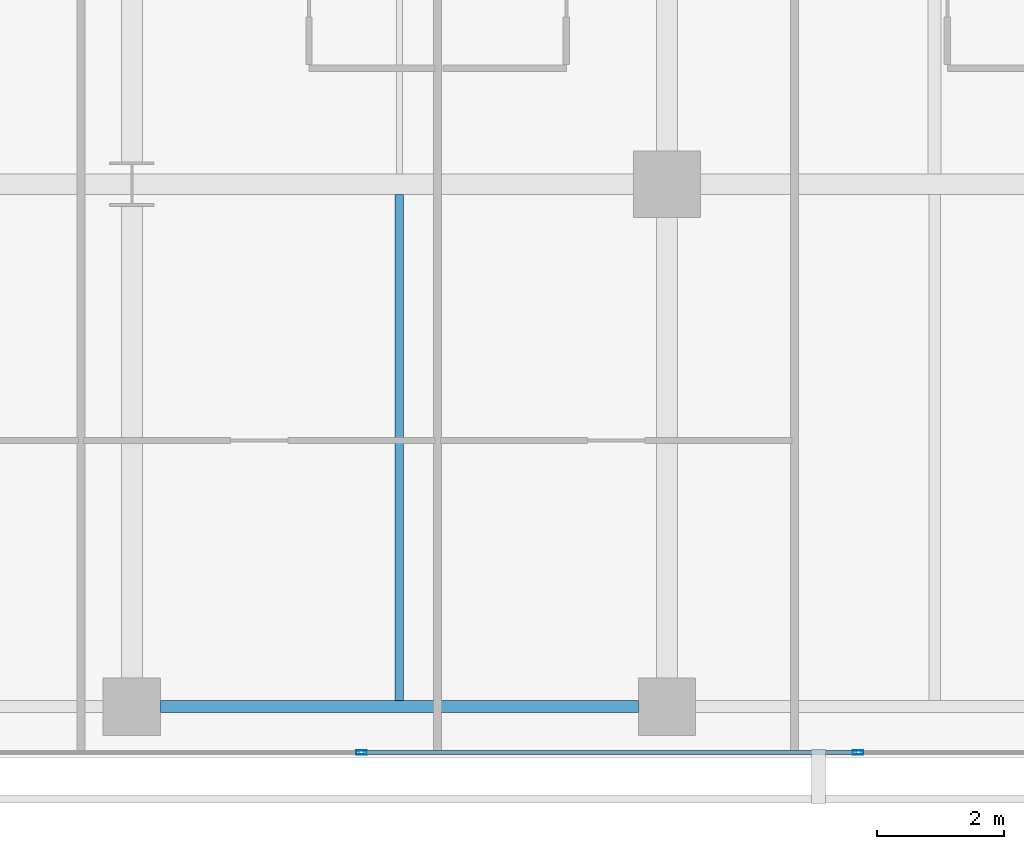
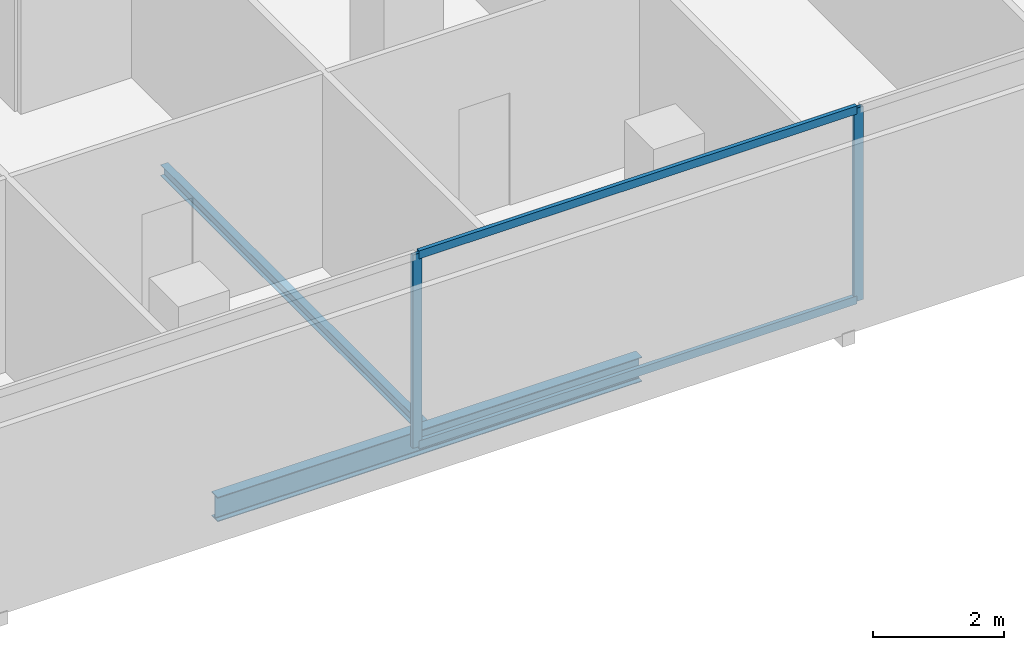
# One storey, part 14 of 41: 4 members, 2 beams, 1 element without a shape of its own.
"""IFC4 building model written with IfcOpenShell, lengths in metres."""

from ifc_helpers import new_model, si_unit, direction, frame, origin, origin_2d, place, context, subcontext, project, spatial, hollow_rectangle, i_section, extrude, material, layer, layer_set, material_profile, profile_set, type_object, element, aggregate, save


model = new_model("IFC4")

# Units and contexts
model_context = context("Model", 3, precision=1e-05, world=origin(), true_north=direction((0.0, 1.0)))
body_context = subcontext(model_context, "Body", "Model", "MODEL_VIEW")
ifc_project = project(units=[si_unit("LENGTHUNIT", "METRE"), si_unit("AREAUNIT", "SQUARE_METRE"), si_unit("VOLUMEUNIT", "CUBIC_METRE"), si_unit("PLANEANGLEUNIT", "RADIAN"), si_unit("MASSUNIT", "GRAM", prefix="KILO")], contexts=[model_context])

# Site, building, storey
site_placement = place(None, origin())
site = spatial("IfcSite", under=ifc_project, at=site_placement, CompositionType="ELEMENT")
building_placement = place(site_placement, origin())
building = spatial("IfcBuilding", under=site, at=building_placement, Name="Maruvema Waterfront Hotel and Observation Tower", CompositionType="ELEMENT")
storey_placement = place(building_placement, frame((0.0, 0.0, 61.60009765625)))
storey = spatial("IfcBuildingStorey", under=building, at=storey_placement, Name="L14", CompositionType="ELEMENT", Elevation=61.60009765625)

# Curtain wall, members
ifc_material_1 = material(Name="Anodised bronze aluminium and solar-control low-E IGU", Category="aluminium")
ifc_layer = layer(ifc_material_1, 0.159912109375, Name="Zone 1 Bronze Inner Thermal Curtain Wall System CW-02")
ifc_layer_set = layer_set([ifc_layer], Name="Anodised bronze aluminium and solar-control low-E IGU")
curtain_wall_type = type_object("IfcCurtainWallType", Name="Zone 1 Bronze Inner Thermal Curtain Wall System CW-02", PredefinedType="USERDEFINED", material=ifc_layer_set)
curtain_wall_placement = place(storey_placement, origin())
curtain_wall = element("IfcCurtainWall", 1, at=curtain_wall_placement, inside=storey, type_object=curtain_wall_type, Name="L14 Curtain Wall CW-L14-S", ObjectType="UNITISED CURTAIN WALL", PredefinedType="USERDEFINED")
ifc_material_2 = material(Name="Anodised architectural bronze aluminium", Category="aluminium")
ifc_material_profile_1 = material_profile(ifc_material_2, hollow_rectangle(XDim=0.070068359375, YDim=0.14990234375, WallThickness=0.00390625, at=origin_2d()), Name="ALU-T70x150")
ifc_profile_set_1 = profile_set([ifc_material_profile_1], Name="Anodised architectural bronze aluminium")
member_type_1 = type_object("IfcMemberType", Name="Curtain Wall Horizontal Transom ALU-T70x150", PredefinedType="USERDEFINED", material=ifc_profile_set_1)
member_1_placement = place(storey_placement, frame((45.6298828125, 0.080078125, 0.02978515625), z_axis=(1.0, 0.0, 0.0), x_axis=(0.0, 1.0, 0.0)))
member_1 = element("IfcMember", 2, at=member_1_placement, type_object=member_type_1, Name="CW-02 transom 5.1", ObjectType="TRANSOM", PredefinedType="USERDEFINED", context=body_context, shape_type="SweptSolid", body=[
    extrude(hollow_rectangle(XDim=0.070068359375, YDim=0.14990234375, WallThickness=0.00390625, at=origin_2d()), origin(), (0.0, 0.0, 1.0), 7.740234375),
])
member_2_placement = place(storey_placement, frame((45.6298828125, 0.080078125, 3.579833984375), z_axis=(1.0, 0.0, 0.0), x_axis=(0.0, 1.0, 0.0)))
member_2 = element("IfcMember", 3, at=member_2_placement, type_object=member_type_1, Name="CW-02 transom 5.2", ObjectType="TRANSOM", PredefinedType="USERDEFINED", context=body_context, shape_type="SweptSolid", body=[
    extrude(hollow_rectangle(XDim=0.070068359375, YDim=0.14990234375, WallThickness=0.00390625, at=origin_2d()), origin(), (0.0, 0.0, 1.0), 7.740234375),
])
ifc_material_3 = material(Name="Anodised architectural bronze aluminium", Category="aluminium")
ifc_material_profile_2 = material_profile(ifc_material_3, hollow_rectangle(XDim=0.06494140625, YDim=0.1650390625, WallThickness=0.00390625, at=origin_2d()), Name="ALU-M65x165")
ifc_profile_set_2 = profile_set([ifc_material_profile_2], Name="Anodised architectural bronze aluminium")
member_type_2 = type_object("IfcMemberType", Name="Curtain Wall Primary Mullion ALU-M65x165", PredefinedType="MULLION", material=ifc_profile_set_2)
member_3_placement = place(storey_placement, frame((45.60009765625, 0.080078125, 0.0), z_axis=(0.0, 0.0, 1.0), x_axis=(0.0, 1.0, 0.0)))
member_3 = element("IfcMember", 4, at=member_3_placement, type_object=member_type_2, Name="CW-02 mullion 5", PredefinedType="MULLION", context=body_context, shape_type="SweptSolid", body=[
    extrude(hollow_rectangle(XDim=0.06494140625, YDim=0.1650390625, WallThickness=0.00390625, at=origin_2d()), origin(), (0.0, 0.0, 1.0), 3.60986328125),
])
member_4_placement = place(storey_placement, frame((53.39990234375, 0.080078125, 0.0), z_axis=(0.0, 0.0, 1.0), x_axis=(0.0, 1.0, 0.0)))
member_4 = element("IfcMember", 5, at=member_4_placement, type_object=member_type_2, Name="CW-02 mullion 6", PredefinedType="MULLION", context=body_context, shape_type="SweptSolid", body=[
    extrude(hollow_rectangle(XDim=0.06494140625, YDim=0.1650390625, WallThickness=0.00390625, at=origin_2d()), origin(), (0.0, 0.0, 1.0), 3.60986328125),
])
aggregate(curtain_wall, [member_3, member_4, member_1, member_2])

# Beams
ifc_material_4 = material(Name="Steel ASTM A572 Grade 50", Category="steel")
ifc_material_profile_3 = material_profile(ifc_material_4, i_section(OverallWidth=0.18994140625, OverallDepth=0.45703125, WebThickness=0.009033203125, FlangeThickness=0.014404296875, FilletRadius=0.014892578125, at=origin_2d()), Name="W460x74.0")
ifc_profile_set_3 = profile_set([ifc_material_profile_3], Name="Steel ASTM A572 Grade 50")
beam_type_1 = type_object("IfcBeamType", Name="Perimeter Spandrel Beam W460x74.0", PredefinedType="SPANDREL", material=ifc_profile_set_3)
beam_1_placement = place(storey_placement, frame((42.449951171875, 0.800048828125, -0.468505859375), z_axis=(1.0, 0.0, 0.0), x_axis=(0.0, 1.0, 0.0)))
element("IfcBeam", 6, at=beam_1_placement, inside=storey, type_object=beam_type_1, Name="L14 Floor Girder EW-04", PredefinedType="SPANDREL", context=body_context, shape_type="SweptSolid", body=[
    extrude(i_section(OverallWidth=0.18994140625, OverallDepth=0.45703125, WebThickness=0.009033203125, FlangeThickness=0.014404296875, FilletRadius=0.014892578125, at=origin_2d()), origin(), (0.0, 0.0, 1.0), 7.5),
])
ifc_material_5 = material(Name="Steel ASTM A572 Grade 50", Category="steel")
ifc_material_profile_4 = material_profile(ifc_material_5, i_section(OverallWidth=0.133056640625, OverallDepth=0.20703125, WebThickness=0.005859375, FlangeThickness=0.00830078125, FilletRadius=0.010009765625, at=origin_2d()), Name="W200x26.6")
ifc_profile_set_4 = profile_set([ifc_material_profile_4], Name="Steel ASTM A572 Grade 50")
beam_type_2 = type_object("IfcBeamType", Name="Secondary Floor Joist W200x26.6", PredefinedType="JOIST", material=ifc_profile_set_4)
beam_2_placement = place(storey_placement, frame((46.199951171875, 0.89501953125, -0.343505859375), z_axis=(0.0, 1.0, 0.0), x_axis=(-1.0, 0.0, 0.0)))
element("IfcBeam", 7, at=beam_2_placement, inside=storey, type_object=beam_type_2, Name="L14 Secondary Floor Joist JS-14", PredefinedType="JOIST", context=body_context, shape_type="SweptSolid", body=[
    extrude(i_section(OverallWidth=0.133056640625, OverallDepth=0.20703125, WebThickness=0.005859375, FlangeThickness=0.00830078125, FilletRadius=0.010009765625, at=origin_2d()), origin(), (0.0, 0.0, 1.0), 7.94140625),
])

save(model, "model.ifc")
